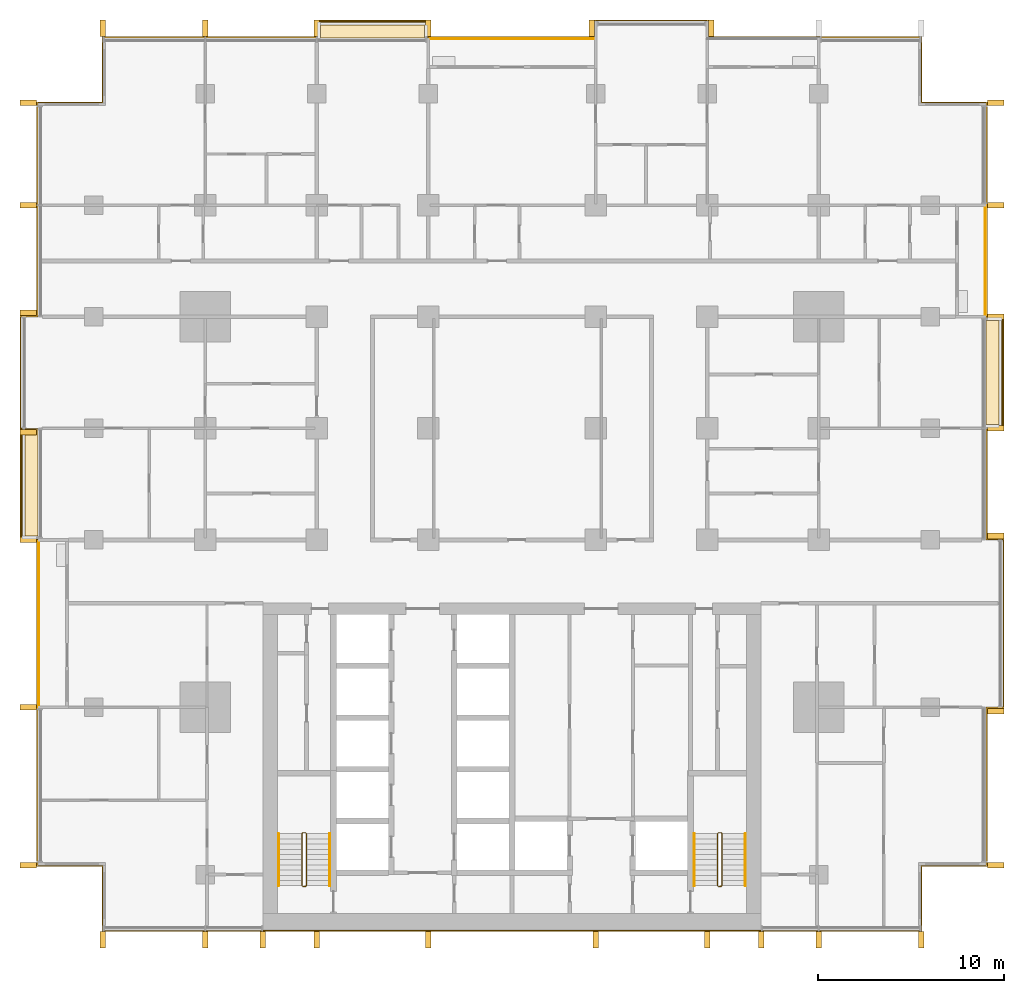
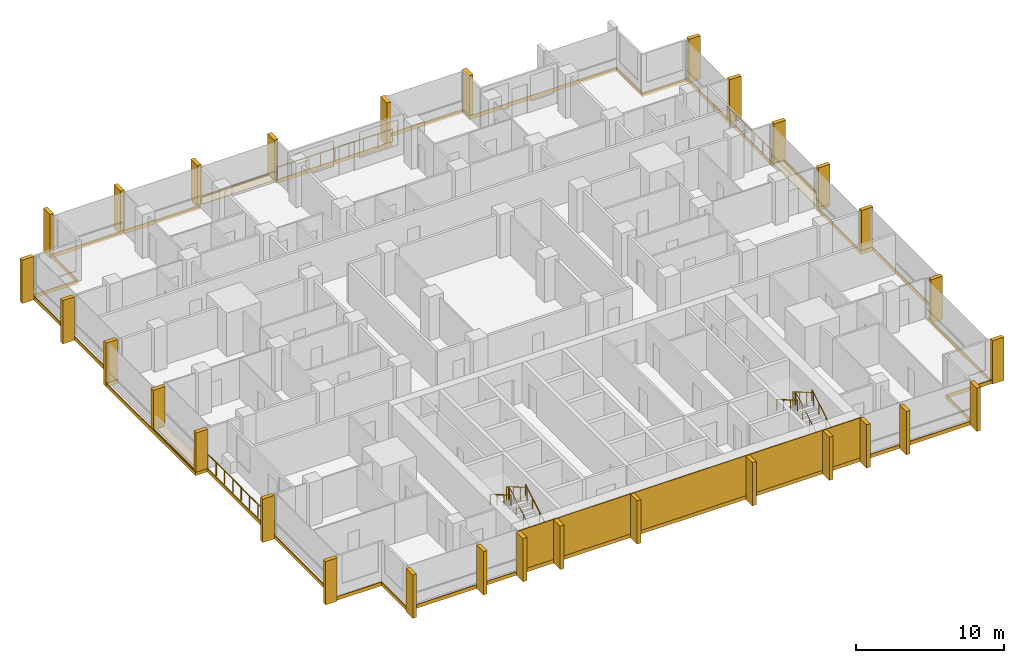
# One storey, part 18 of 19: 30 shading devices, 12 coverings, 9 railings.
"""IFC4 building model written with IfcOpenShell, lengths in metres."""

from ifc_helpers import new_model, si_unit, direction, frame, origin, origin_2d, place, context, subcontext, project, spatial, polyline, rectangle, circle, outline, extrude, material, layer, layer_set, type_object, element, save


model = new_model("IFC4")

# Units and contexts
model_context = context("Model", 3, precision=1e-05, world=origin(), true_north=direction((0.0, 1.0)))
body_context = subcontext(model_context, "Body", "Model", "MODEL_VIEW")
ifc_project = project(units=[si_unit("LENGTHUNIT", "METRE"), si_unit("AREAUNIT", "SQUARE_METRE"), si_unit("VOLUMEUNIT", "CUBIC_METRE"), si_unit("PLANEANGLEUNIT", "RADIAN"), si_unit("MASSUNIT", "GRAM", prefix="KILO")], contexts=[model_context])

# Site, building, storey
site_placement = place(None, origin())
site = spatial("IfcSite", under=ifc_project, at=site_placement, CompositionType="ELEMENT")
building_placement = place(site_placement, origin())
building = spatial("IfcBuilding", under=site, at=building_placement, Name="Finial Court Residences", CompositionType="ELEMENT")
storey_placement = place(building_placement, frame((0.0, 0.0, 88.300048828125)))
storey = spatial("IfcBuildingStorey", under=building, at=storey_placement, Name="L21", CompositionType="ELEMENT", Elevation=88.300048828125)

# Railings
ifc_material_1 = material(Name="Bronze anodised aluminium", Category="aluminium")
railing_type_1 = type_object("IfcRailingType", Name="Balcony guard 1100", PredefinedType="GUARDRAIL", material=ifc_material_1)
railing_1_placement = place(storey_placement, frame((-4.5, 22.449951171875, 0.0)))
element("IfcRailing", 1, at=railing_1_placement, inside=storey, type_object=railing_type_1, Name="E-L21-BALN4-R", PredefinedType="GUARDRAIL", context=body_context, shape_type="SweptSolid", body=[
    extrude(circle(Radius=0.02392578125, at=origin_2d()), frame((0.0, 0.0, 1.076171875), z_axis=(1.0, 0.0, 0.0), x_axis=(0.0, 1.0, 0.0)), (0.0, 0.0, 1.0), 9.0),
    extrude(circle(Radius=0.02099609375, at=origin_2d()), origin(), (0.0, 0.0, 1.0), 1.052001953125),
    extrude(circle(Radius=0.02099609375, at=origin_2d()), frame((1.125, 0.0, 0.0)), (0.0, 0.0, 1.0), 1.052001953125),
    extrude(circle(Radius=0.02099609375, at=origin_2d()), frame((2.25, 0.0, 0.0)), (0.0, 0.0, 1.0), 1.052001953125),
    extrude(circle(Radius=0.02099609375, at=origin_2d()), frame((3.375, 0.0, 0.0)), (0.0, 0.0, 1.0), 1.052001953125),
    extrude(circle(Radius=0.02099609375, at=origin_2d()), frame((4.5, 0.0, 0.0)), (0.0, 0.0, 1.0), 1.052001953125),
    extrude(circle(Radius=0.02099609375, at=origin_2d()), frame((5.625, 0.0, 0.0)), (0.0, 0.0, 1.0), 1.052001953125),
    extrude(circle(Radius=0.02099609375, at=origin_2d()), frame((6.75, 0.0, 0.0)), (0.0, 0.0, 1.0), 1.052001953125),
    extrude(circle(Radius=0.02099609375, at=origin_2d()), frame((7.875, 0.0, 0.0)), (0.0, 0.0, 1.0), 1.052001953125),
    extrude(circle(Radius=0.02099609375, at=origin_2d()), frame((9.0, 0.0, 0.0)), (0.0, 0.0, 1.0), 1.052001953125),
])
railing_2_placement = place(storey_placement, frame((25.449951171875, 7.5, 0.0)))
element("IfcRailing", 2, at=railing_2_placement, inside=storey, type_object=railing_type_1, Name="E-L21-BALE5-R", PredefinedType="GUARDRAIL", context=body_context, shape_type="SweptSolid", body=[
    extrude(circle(Radius=0.02392578125, at=origin_2d()), frame((0.0, 0.0, 1.076171875), z_axis=(0.0, 1.0, 0.0), x_axis=(-1.0, 0.0, 0.0)), (0.0, 0.0, 1.0), 6.0),
    extrude(circle(Radius=0.02099609375, at=origin_2d()), origin(), (0.0, 0.0, 1.0), 1.052001953125),
    extrude(circle(Radius=0.02099609375, at=origin_2d()), frame((0.0, 1.199951171875, 0.0)), (0.0, 0.0, 1.0), 1.052001953125),
    extrude(circle(Radius=0.02099609375, at=origin_2d()), frame((0.0, 2.39990234375, 0.0)), (0.0, 0.0, 1.0), 1.052001953125),
    extrude(circle(Radius=0.02099609375, at=origin_2d()), frame((0.0, 3.60009765625, 0.0)), (0.0, 0.0, 1.0), 1.052001953125),
    extrude(circle(Radius=0.02099609375, at=origin_2d()), frame((0.0, 4.800048828125, 0.0)), (0.0, 0.0, 1.0), 1.052001953125),
    extrude(circle(Radius=0.02099609375, at=origin_2d()), frame((0.0, 6.0, 0.0)), (0.0, 0.0, 1.0), 1.052001953125),
])
railing_3_placement = place(storey_placement, frame((-25.449951171875, -13.5, 0.0)))
element("IfcRailing", 3, at=railing_3_placement, inside=storey, type_object=railing_type_1, Name="E-L21-BALW2-R", PredefinedType="GUARDRAIL", context=body_context, shape_type="SweptSolid", body=[
    extrude(circle(Radius=0.02392578125, at=origin_2d()), frame((0.0, 0.0, 1.076171875), z_axis=(0.0, 1.0, 0.0), x_axis=(-1.0, 0.0, 0.0)), (0.0, 0.0, 1.0), 9.0),
    extrude(circle(Radius=0.02099609375, at=origin_2d()), origin(), (0.0, 0.0, 1.0), 1.052001953125),
    extrude(circle(Radius=0.02099609375, at=origin_2d()), frame((0.0, 1.125, 0.0)), (0.0, 0.0, 1.0), 1.052001953125),
    extrude(circle(Radius=0.02099609375, at=origin_2d()), frame((0.0, 2.25, 0.0)), (0.0, 0.0, 1.0), 1.052001953125),
    extrude(circle(Radius=0.02099609375, at=origin_2d()), frame((0.0, 3.375, 0.0)), (0.0, 0.0, 1.0), 1.052001953125),
    extrude(circle(Radius=0.02099609375, at=origin_2d()), frame((0.0, 4.5, 0.0)), (0.0, 0.0, 1.0), 1.052001953125),
    extrude(circle(Radius=0.02099609375, at=origin_2d()), frame((0.0, 5.625, 0.0)), (0.0, 0.0, 1.0), 1.052001953125),
    extrude(circle(Radius=0.02099609375, at=origin_2d()), frame((0.0, 6.75, 0.0)), (0.0, 0.0, 1.0), 1.052001953125),
    extrude(circle(Radius=0.02099609375, at=origin_2d()), frame((0.0, 7.875, 0.0)), (0.0, 0.0, 1.0), 1.052001953125),
    extrude(circle(Radius=0.02099609375, at=origin_2d()), frame((0.0, 9.0, 0.0)), (0.0, 0.0, 1.0), 1.052001953125),
])

# Coverings
ifc_material_2 = material(Name="Natural limestone", Category="masonry")
ifc_layer_1 = layer(ifc_material_2, 0.06005859375)
ifc_layer_set_1 = layer_set([ifc_layer_1], Name="Limestone cladding to the blind core face 60")
covering_type_1 = type_object("IfcCoveringType", Name="Limestone cladding to the blind core face 60", PredefinedType="CLADDING", material=ifc_layer_set_1)
covering_1_placement = place(storey_placement, origin())
element("IfcCovering", 4, at=covering_1_placement, inside=storey, type_object=covering_type_1, Name="E-L21-CLAD1", PredefinedType="CLADDING", context=body_context, shape_type="SweptSolid", body=[
    extrude(outline(polyline([(-10.5, -25.56005859375), (-10.5, -25.5), (-13.39990234375, -25.5), (-13.39990234375, -25.56005859375), (-10.5, -25.56005859375)])), origin(), (0.0, 0.0, 1.0), 3.300048828125),
])
covering_2_placement = place(storey_placement, origin())
element("IfcCovering", 5, at=covering_2_placement, inside=storey, type_object=covering_type_1, Name="E-L21-CLAD2", PredefinedType="CLADDING", context=body_context, shape_type="SweptSolid", body=[
    extrude(outline(polyline([(-4.5, -25.56005859375), (-4.5, -25.5), (-10.5, -25.5), (-10.5, -25.56005859375), (-4.5, -25.56005859375)])), origin(), (0.0, 0.0, 1.0), 3.300048828125),
])
covering_3_placement = place(storey_placement, origin())
element("IfcCovering", 6, at=covering_3_placement, inside=storey, type_object=covering_type_1, Name="E-L21-CLAD3", PredefinedType="CLADDING", context=body_context, shape_type="SweptSolid", body=[
    extrude(outline(polyline([(4.5, -25.56005859375), (4.5, -25.5), (-4.5, -25.5), (-4.5, -25.56005859375), (4.5, -25.56005859375)])), origin(), (0.0, 0.0, 1.0), 3.300048828125),
])
covering_4_placement = place(storey_placement, origin())
element("IfcCovering", 7, at=covering_4_placement, inside=storey, type_object=covering_type_1, Name="E-L21-CLAD4", PredefinedType="CLADDING", context=body_context, shape_type="SweptSolid", body=[
    extrude(outline(polyline([(10.5, -25.56005859375), (10.5, -25.5), (4.5, -25.5), (4.5, -25.56005859375), (10.5, -25.56005859375)])), origin(), (0.0, 0.0, 1.0), 3.300048828125),
])
covering_5_placement = place(storey_placement, origin())
element("IfcCovering", 8, at=covering_5_placement, inside=storey, type_object=covering_type_1, Name="E-L21-CLAD5", PredefinedType="CLADDING", context=body_context, shape_type="SweptSolid", body=[
    extrude(outline(polyline([(13.39990234375, -25.56005859375), (13.39990234375, -25.5), (10.5, -25.5), (10.5, -25.56005859375), (13.39990234375, -25.56005859375)])), origin(), (0.0, 0.0, 1.0), 3.300048828125),
])

# Shading devices
shading_device_type = type_object("IfcShadingDeviceType", Name="Limestone fin 300 x 900", PredefinedType="USERDEFINED", material=ifc_material_2)
for number, where, z_axis, x_axis, name in (
    (9, (-22.0, 23.010009765625, -0.300048828125), (0.0, 0.0, 1.0), (1.0, 0.0, 0.0), "E-L21-FIN-N1"),
    (10, (-16.5, 23.010009765625, -0.300048828125), (0.0, 0.0, 1.0), (1.0, 0.0, 0.0), "E-L21-FIN-N2"),
):
    element("IfcShadingDevice", number, at=place(storey_placement, frame(where, z_axis=z_axis, x_axis=x_axis)), inside=storey, type_object=shading_device_type, Name=name, ObjectType="FIN", PredefinedType="USERDEFINED", context=body_context, shape_type="SweptSolid", body=[
        extrude(rectangle(XDim=0.300048828125, YDim=0.89990234375, at=origin_2d()), origin(), (0.0, 0.0, 1.0), 3.580078125),
    ])
for number, where, z_axis, x_axis, name in (
    (11, (-10.5, 23.010009765625, 0.0400390625), (0.0, 0.0, 1.0), (1.0, 0.0, 0.0), "E-L21-FIN-N3"),
    (12, (-4.5, 23.010009765625, 0.0400390625), (0.0, 0.0, 1.0), (1.0, 0.0, 0.0), "E-L21-FIN-N4"),
):
    element("IfcShadingDevice", number, at=place(storey_placement, frame(where, z_axis=z_axis, x_axis=x_axis)), inside=storey, type_object=shading_device_type, Name=name, ObjectType="FIN", PredefinedType="USERDEFINED", context=body_context, shape_type="SweptSolid", body=[
        extrude(rectangle(XDim=0.300048828125, YDim=0.89990234375, at=origin_2d()), origin(), (0.0, 0.0, 1.0), 3.239990234375),
    ])
for number, where, z_axis, x_axis, name in (
    (13, (4.2900390625, 23.010009765625, -0.300048828125), (0.0, 0.0, 1.0), (1.0, 0.0, 0.0), "E-L21-FIN-N5"),
    (14, (10.7099609375, 23.010009765625, -0.300048828125), (0.0, 0.0, 1.0), (1.0, 0.0, 0.0), "E-L21-FIN-N6"),
):
    element("IfcShadingDevice", number, at=place(storey_placement, frame(where, z_axis=z_axis, x_axis=x_axis)), inside=storey, type_object=shading_device_type, Name=name, ObjectType="FIN", PredefinedType="USERDEFINED", context=body_context, shape_type="SweptSolid", body=[
        extrude(rectangle(XDim=0.300048828125, YDim=0.89990234375, at=origin_2d()), origin(), (0.0, 0.0, 1.0), 3.580078125),
    ])
for number, where, z_axis, x_axis, name in (
    (15, (26.010009765625, -22.0, -0.300048828125), (0.0, 0.0, 1.0), (1.0, 0.0, 0.0), "E-L21-FIN-E9"),
    (16, (26.010009765625, -13.7099609375, -0.300048828125), (0.0, 0.0, 1.0), (1.0, 0.0, 0.0), "E-L21-FIN-E10"),
    (17, (26.010009765625, -4.2900390625, -0.300048828125), (0.0, 0.0, 1.0), (1.0, 0.0, 0.0), "E-L21-FIN-E11"),
):
    element("IfcShadingDevice", number, at=place(storey_placement, frame(where, z_axis=z_axis, x_axis=x_axis)), inside=storey, type_object=shading_device_type, Name=name, ObjectType="FIN", PredefinedType="USERDEFINED", context=body_context, shape_type="SweptSolid", body=[
        extrude(rectangle(XDim=0.89990234375, YDim=0.300048828125, at=origin_2d()), origin(), (0.0, 0.0, 1.0), 3.580078125),
    ])
for number, where, z_axis, x_axis, name in (
    (18, (26.010009765625, 1.5, 0.0400390625), (0.0, 0.0, 1.0), (1.0, 0.0, 0.0), "E-L21-FIN-E12"),
    (19, (26.010009765625, 7.5, 0.0400390625), (0.0, 0.0, 1.0), (1.0, 0.0, 0.0), "E-L21-FIN-E13"),
):
    element("IfcShadingDevice", number, at=place(storey_placement, frame(where, z_axis=z_axis, x_axis=x_axis)), inside=storey, type_object=shading_device_type, Name=name, ObjectType="FIN", PredefinedType="USERDEFINED", context=body_context, shape_type="SweptSolid", body=[
        extrude(rectangle(XDim=0.89990234375, YDim=0.300048828125, at=origin_2d()), origin(), (0.0, 0.0, 1.0), 3.239990234375),
    ])
for number, where, z_axis, x_axis, name in (
    (20, (26.010009765625, 13.5, -0.300048828125), (0.0, 0.0, 1.0), (1.0, 0.0, 0.0), "E-L21-FIN-E14"),
    (21, (26.010009765625, 19.0, -0.300048828125), (0.0, 0.0, 1.0), (1.0, 0.0, 0.0), "E-L21-FIN-E15"),
):
    element("IfcShadingDevice", number, at=place(storey_placement, frame(where, z_axis=z_axis, x_axis=x_axis)), inside=storey, type_object=shading_device_type, Name=name, ObjectType="FIN", PredefinedType="USERDEFINED", context=body_context, shape_type="SweptSolid", body=[
        extrude(rectangle(XDim=0.89990234375, YDim=0.300048828125, at=origin_2d()), origin(), (0.0, 0.0, 1.0), 3.580078125),
    ])
for number, where, z_axis, x_axis, name in (
    (22, (-22.0, -26.010009765625, -0.300048828125), (0.0, 0.0, 1.0), (1.0, 0.0, 0.0), "E-L21-FIN-S16"),
    (23, (-16.5, -26.010009765625, -0.300048828125), (0.0, 0.0, 1.0), (1.0, 0.0, 0.0), "E-L21-FIN-S17"),
    (24, (-13.39990234375, -26.010009765625, -0.300048828125), (0.0, 0.0, 1.0), (1.0, 0.0, 0.0), "E-L21-FIN-S18"),
    (25, (-10.5, -26.010009765625, -0.300048828125), (0.0, 0.0, 1.0), (1.0, 0.0, 0.0), "E-L21-FIN-S19"),
    (26, (-4.5, -26.010009765625, -0.300048828125), (0.0, 0.0, 1.0), (1.0, 0.0, 0.0), "E-L21-FIN-S20"),
    (27, (4.5, -26.010009765625, -0.300048828125), (0.0, 0.0, 1.0), (1.0, 0.0, 0.0), "E-L21-FIN-S21"),
    (28, (10.5, -26.010009765625, -0.300048828125), (0.0, 0.0, 1.0), (1.0, 0.0, 0.0), "E-L21-FIN-S22"),
    (29, (13.39990234375, -26.010009765625, -0.300048828125), (0.0, 0.0, 1.0), (1.0, 0.0, 0.0), "E-L21-FIN-S23"),
    (30, (16.5, -26.010009765625, -0.300048828125), (0.0, 0.0, 1.0), (1.0, 0.0, 0.0), "E-L21-FIN-S24"),
    (31, (22.0, -26.010009765625, -0.300048828125), (0.0, 0.0, 1.0), (1.0, 0.0, 0.0), "E-L21-FIN-S25"),
):
    element("IfcShadingDevice", number, at=place(storey_placement, frame(where, z_axis=z_axis, x_axis=x_axis)), inside=storey, type_object=shading_device_type, Name=name, ObjectType="FIN", PredefinedType="USERDEFINED", context=body_context, shape_type="SweptSolid", body=[
        extrude(rectangle(XDim=0.300048828125, YDim=0.89990234375, at=origin_2d()), origin(), (0.0, 0.0, 1.0), 3.580078125),
    ])
for number, where, z_axis, x_axis, name in (
    (32, (-26.010009765625, -22.0, -0.300048828125), (0.0, 0.0, 1.0), (1.0, 0.0, 0.0), "E-L21-FIN-W26"),
    (33, (-26.010009765625, -13.5, -0.300048828125), (0.0, 0.0, 1.0), (1.0, 0.0, 0.0), "E-L21-FIN-W27"),
):
    element("IfcShadingDevice", number, at=place(storey_placement, frame(where, z_axis=z_axis, x_axis=x_axis)), inside=storey, type_object=shading_device_type, Name=name, ObjectType="FIN", PredefinedType="USERDEFINED", context=body_context, shape_type="SweptSolid", body=[
        extrude(rectangle(XDim=0.89990234375, YDim=0.300048828125, at=origin_2d()), origin(), (0.0, 0.0, 1.0), 3.580078125),
    ])
for number, where, z_axis, x_axis, name in (
    (34, (-26.010009765625, -4.5, 0.0400390625), (0.0, 0.0, 1.0), (1.0, 0.0, 0.0), "E-L21-FIN-W28"),
    (35, (-26.010009765625, 1.2900390625, 0.0400390625), (0.0, 0.0, 1.0), (1.0, 0.0, 0.0), "E-L21-FIN-W29"),
):
    element("IfcShadingDevice", number, at=place(storey_placement, frame(where, z_axis=z_axis, x_axis=x_axis)), inside=storey, type_object=shading_device_type, Name=name, ObjectType="FIN", PredefinedType="USERDEFINED", context=body_context, shape_type="SweptSolid", body=[
        extrude(rectangle(XDim=0.89990234375, YDim=0.300048828125, at=origin_2d()), origin(), (0.0, 0.0, 1.0), 3.239990234375),
    ])
for number, where, z_axis, x_axis, name in (
    (36, (-26.010009765625, 7.7099609375, -0.300048828125), (0.0, 0.0, 1.0), (1.0, 0.0, 0.0), "E-L21-FIN-W30"),
    (37, (-26.010009765625, 13.5, -0.300048828125), (0.0, 0.0, 1.0), (1.0, 0.0, 0.0), "E-L21-FIN-W31"),
    (38, (-26.010009765625, 19.0, -0.300048828125), (0.0, 0.0, 1.0), (1.0, 0.0, 0.0), "E-L21-FIN-W32"),
):
    element("IfcShadingDevice", number, at=place(storey_placement, frame(where, z_axis=z_axis, x_axis=x_axis)), inside=storey, type_object=shading_device_type, Name=name, ObjectType="FIN", PredefinedType="USERDEFINED", context=body_context, shape_type="SweptSolid", body=[
        extrude(rectangle(XDim=0.89990234375, YDim=0.300048828125, at=origin_2d()), origin(), (0.0, 0.0, 1.0), 3.580078125),
    ])

# Coverings
ifc_material_3 = material(Name="Pale limestone", Category="masonry")
ifc_layer_2 = layer(ifc_material_3, 0.06005859375)
ifc_layer_set_2 = layer_set([ifc_layer_2], Name="Pale limestone slab-edge band 60")
covering_type_2 = type_object("IfcCoveringType", Name="Pale limestone slab-edge band 60", PredefinedType="CLADDING", material=ifc_layer_set_2)
covering_6_placement = place(storey_placement, frame((0.0, 0.0, -0.300048828125)))
element("IfcCovering", 39, at=covering_6_placement, inside=storey, type_object=covering_type_2, Name="E-L21-BAND1", PredefinedType="CLADDING", context=body_context, shape_type="SweptSolid", body=[
    extrude(outline(polyline([(-26.4599609375, 7.56005859375), (-25.56005859375, 7.56005859375), (-25.56005859375, 19.06005859375), (-22.06005859375, 19.06005859375), (-22.06005859375, 22.56005859375), (-10.56005859375, 22.56005859375), (-10.56005859375, 23.4599609375), (-4.43994140625, 23.4599609375), (-4.43994140625, 22.56005859375), (4.43994140625, 22.56005859375), (4.43994140625, 23.4599609375), (10.56005859375, 23.4599609375), (10.56005859375, 22.56005859375), (22.06005859375, 22.56005859375), (22.06005859375, 19.06005859375), (25.56005859375, 19.06005859375), (25.56005859375, 7.56005859375), (26.4599609375, 7.56005859375), (26.4599609375, 1.43994140625), (25.56005859375, 1.43994140625), (25.56005859375, -4.43994140625), (26.4599609375, -4.43994140625), (26.4599609375, -13.56005859375), (25.56005859375, -13.56005859375), (25.56005859375, -22.06005859375), (22.06005859375, -22.06005859375), (22.06005859375, -25.56005859375), (-22.06005859375, -25.56005859375), (-22.06005859375, -22.06005859375), (-25.56005859375, -22.06005859375), (-25.56005859375, -4.56005859375), (-26.4599609375, -4.56005859375), (-26.4599609375, 7.56005859375)]), holes=[polyline([(-25.5, -4.5), (-25.5, -13.5), (-25.5, -22.0), (-22.0, -22.0), (-22.0, -25.5), (22.0, -25.5), (22.0, -22.0), (25.5, -22.0), (25.5, -13.5), (26.39990234375, -13.5), (26.39990234375, -4.5), (25.5, -4.5), (25.5, 1.5), (26.39990234375, 1.5), (26.39990234375, 7.5), (25.5, 7.5), (25.5, 13.5), (25.5, 19.0), (22.0, 19.0), (22.0, 22.5), (16.5, 22.5), (10.5, 22.5), (10.5, 23.39990234375), (4.5, 23.39990234375), (4.5, 22.5), (-4.5, 22.5), (-4.5, 23.39990234375), (-10.5, 23.39990234375), (-10.5, 22.5), (-22.0, 22.5), (-22.0, 19.0), (-25.5, 19.0), (-25.5, 7.5), (-26.39990234375, 7.5), (-26.39990234375, 1.5), (-26.39990234375, -4.5), (-25.5, -4.5)])]), origin(), (0.0, 0.0, 1.0), 0.300048828125),
])
ifc_material_4 = material(Name="Bitumen membrane")
ifc_layer_3 = layer(ifc_material_4, 0.0400390625)
ifc_layer_set_3 = layer_set([ifc_layer_3], Name="Push box roofing, bitumen membrane 40")
covering_type_3 = type_object("IfcCoveringType", Name="Push box roofing, bitumen membrane 40", PredefinedType="ROOFING", material=ifc_layer_set_3)
covering_7_placement = place(storey_placement, origin())
element("IfcCovering", 40, at=covering_7_placement, inside=storey, type_object=covering_type_3, Name="E-L21-LED1", PredefinedType="ROOFING", context=body_context, shape_type="SweptSolid", body=[
    extrude(outline(polyline([(-4.550048828125, 22.5), (-4.550048828125, 23.199951171875), (-4.550048828125, 23.35009765625), (-10.300048828125, 23.35009765625), (-10.300048828125, 23.35009765625), (-10.449951171875, 23.35009765625), (-10.449951171875, 22.5), (-10.5, 22.5), (-10.5, 23.39990234375), (-4.5, 23.39990234375), (-4.5, 22.5), (-4.550048828125, 22.5)])), origin(), (0.0, 0.0, 1.0), 0.0400390625),
])
covering_8_placement = place(storey_placement, origin())
element("IfcCovering", 41, at=covering_8_placement, inside=storey, type_object=covering_type_3, Name="E-L21-LED1b", PredefinedType="ROOFING", context=body_context, shape_type="SweptSolid", body=[
    extrude(outline(polyline([(-10.300048828125, 22.5), (-10.300048828125, 23.199951171875), (-4.699951171875, 23.199951171875), (-4.699951171875, 22.5), (-10.300048828125, 22.5)])), origin(), (0.0, 0.0, 1.0), 0.0400390625),
])
covering_9_placement = place(storey_placement, origin())
element("IfcCovering", 42, at=covering_9_placement, inside=storey, type_object=covering_type_3, Name="E-L21-LED2", PredefinedType="ROOFING", context=body_context, shape_type="SweptSolid", body=[
    extrude(outline(polyline([(25.5, 1.550048828125), (26.199951171875, 1.550048828125), (26.35009765625, 1.550048828125), (26.35009765625, 7.300048828125), (26.35009765625, 7.300048828125), (26.35009765625, 7.449951171875), (25.5, 7.449951171875), (25.5, 7.5), (26.39990234375, 7.5), (26.39990234375, 1.5), (25.5, 1.5), (25.5, 1.550048828125)])), origin(), (0.0, 0.0, 1.0), 0.0400390625),
])
covering_10_placement = place(storey_placement, origin())
element("IfcCovering", 43, at=covering_10_placement, inside=storey, type_object=covering_type_3, Name="E-L21-LED2b", PredefinedType="ROOFING", context=body_context, shape_type="SweptSolid", body=[
    extrude(outline(polyline([(25.5, 7.300048828125), (26.199951171875, 7.300048828125), (26.199951171875, 1.699951171875), (25.5, 1.699951171875), (25.5, 7.300048828125)])), origin(), (0.0, 0.0, 1.0), 0.0400390625),
])
covering_11_placement = place(storey_placement, origin())
element("IfcCovering", 44, at=covering_11_placement, inside=storey, type_object=covering_type_3, Name="E-L21-LED3", PredefinedType="ROOFING", context=body_context, shape_type="SweptSolid", body=[
    extrude(outline(polyline([(-25.5, -4.300048828125), (-26.199951171875, -4.300048828125), (-26.199951171875, 1.5), (-25.5, 1.5), (-25.5, -4.300048828125)])), origin(), (0.0, 0.0, 1.0), 0.0400390625),
])
covering_12_placement = place(storey_placement, origin())
element("IfcCovering", 45, at=covering_12_placement, inside=storey, type_object=covering_type_3, Name="E-L21-LED3b", PredefinedType="ROOFING", context=body_context, shape_type="SweptSolid", body=[
    extrude(outline(polyline([(-25.5, -4.5), (-26.39990234375, -4.5), (-26.39990234375, 1.5), (-26.35009765625, 1.5), (-26.35009765625, -4.300048828125), (-26.35009765625, -4.300048828125), (-26.35009765625, -4.449951171875), (-25.5, -4.449951171875), (-25.5, -4.5)])), origin(), (0.0, 0.0, 1.0), 0.0400390625),
])

# Railings
ifc_material_5 = material(Name="Stainless steel railing", Category="steel")
railing_type_2 = type_object("IfcRailingType", Name="Stair guard 1100", PredefinedType="GUARDRAIL", material=ifc_material_5)
railing_4_placement = place(storey_placement, frame((-11.10009765625, -23.14990234375, 0.0)))
element("IfcRailing", 46, at=railing_4_placement, inside=storey, type_object=railing_type_2, Name="L21 ST-1 stair guard 1", PredefinedType="GUARDRAIL", context=body_context, shape_type="SweptSolid", body=[
    extrude(circle(Radius=0.02392578125, at=origin_2d()), frame((0.0, 0.0, 1.076171875), z_axis=(-1.0, 0.0, 0.0), x_axis=(0.0, -1.0, 0.0)), (0.0, 0.0, 1.0), 0.14990234375),
    extrude(circle(Radius=0.02392578125, at=origin_2d()), frame((-0.14990234375, 0.0, 1.076171875), z_axis=(0.760004195007, 0.189305074214, 0.621737253547), x_axis=(-0.241699205484, 0.970351222016, 0.0)), (0.0, 0.0, 1.0), 0.26318359375),
    extrude(circle(Radius=0.02392578125, at=origin_2d()), frame((0.050048828125, 0.0498046875, 1.23974609375), z_axis=(0.0, 0.863360870873, 0.504586966384), x_axis=(-1.0, 0.0, 0.0)), (0.0, 0.0, 1.0), 3.2431640625),
    extrude(circle(Radius=0.02392578125, at=origin_2d()), frame((0.050048828125, 2.849853515625, 2.8759765625), z_axis=(-0.707106781187, 0.707106781187, 0.0), x_axis=(-0.707106781187, -0.707106781187, 0.0)), (0.0, 0.0, 1.0), 0.07080078125),
    extrude(circle(Radius=0.02392578125, at=origin_2d()), frame((0.0, 2.89990234375, 2.8759765625), z_axis=(-1.0, 0.0, 0.0), x_axis=(0.0, -1.0, 0.0)), (0.0, 0.0, 1.0), 0.14990234375),
    extrude(circle(Radius=0.02392578125, at=origin_2d()), frame((-0.14990234375, 2.89990234375, 2.8759765625), z_axis=(-0.280808744504, -0.280808744504, 0.917765164963), x_axis=(0.707106781187, -0.707106781187, 0.0)), (0.0, 0.0, 1.0), 0.17822265625),
    extrude(circle(Radius=0.02392578125, at=origin_2d()), frame((-0.199951171875, 2.849853515625, 3.03955078125), z_axis=(0.0, -0.863393664356, 0.504530851732), x_axis=(1.0, 0.0, 0.0)), (0.0, 0.0, 1.0), 3.2431640625),
    extrude(circle(Radius=0.02099609375, at=origin_2d()), origin(), (0.0, 0.0, 1.0), 1.052001953125),
    extrude(circle(Radius=0.02099609375, at=origin_2d()), frame((-0.14990234375, 0.0, 0.0)), (0.0, 0.0, 1.0), 1.052001953125),
    extrude(circle(Radius=0.02099609375, at=origin_2d()), frame((0.050048828125, 0.0498046875, 0.16357421875)), (0.0, 0.0, 1.0), 1.052001953125),
    extrude(circle(Radius=0.02099609375, at=origin_2d()), frame((0.050048828125, 0.983154296875, 0.708984375)), (0.0, 0.0, 1.0), 1.052001953125),
    extrude(circle(Radius=0.02099609375, at=origin_2d()), frame((0.050048828125, 1.91650390625, 1.254638671875)), (0.0, 0.0, 1.0), 1.052001953125),
    extrude(circle(Radius=0.02099609375, at=origin_2d()), frame((0.050048828125, 2.849853515625, 1.800048828125)), (0.0, 0.0, 1.0), 1.052001953125),
    extrude(circle(Radius=0.02099609375, at=origin_2d()), frame((0.0, 2.89990234375, 1.800048828125)), (0.0, 0.0, 1.0), 1.052001953125),
    extrude(circle(Radius=0.02099609375, at=origin_2d()), frame((-0.14990234375, 2.89990234375, 1.800048828125)), (0.0, 0.0, 1.0), 1.052001953125),
    extrude(circle(Radius=0.02099609375, at=origin_2d()), frame((-0.199951171875, 2.849853515625, 1.963623046875)), (0.0, 0.0, 1.0), 1.052001953125),
    extrude(circle(Radius=0.02099609375, at=origin_2d()), frame((-0.199951171875, 1.91650390625, 2.509033203125)), (0.0, 0.0, 1.0), 1.052001953125),
    extrude(circle(Radius=0.02099609375, at=origin_2d()), frame((-0.199951171875, 0.983154296875, 3.054443359375)), (0.0, 0.0, 1.0), 1.052001953125),
    extrude(circle(Radius=0.02099609375, at=origin_2d()), frame((-0.199951171875, 0.0498046875, 3.599853515625)), (0.0, 0.0, 1.0), 1.052001953125),
])
railing_5_placement = place(storey_placement, frame((11.25, -23.14990234375, 0.0)))
element("IfcRailing", 47, at=railing_5_placement, inside=storey, type_object=railing_type_2, Name="L21 ST-2 stair guard 1", PredefinedType="GUARDRAIL", context=body_context, shape_type="SweptSolid", body=[
    extrude(circle(Radius=0.02392578125, at=origin_2d()), frame((0.0, 0.0, 1.076171875), z_axis=(-1.0, 0.0, 0.0), x_axis=(0.0, -1.0, 0.0)), (0.0, 0.0, 1.0), 0.14990234375),
    extrude(circle(Radius=0.02392578125, at=origin_2d()), frame((-0.14990234375, 0.0, 1.076171875), z_axis=(0.760004195007, 0.189305074214, 0.621737253547), x_axis=(-0.241699205484, 0.970351222016, 0.0)), (0.0, 0.0, 1.0), 0.26318359375),
    extrude(circle(Radius=0.02392578125, at=origin_2d()), frame((0.050048828125, 0.0498046875, 1.23974609375), z_axis=(0.0, 0.863360870873, 0.504586966384), x_axis=(-1.0, 0.0, 0.0)), (0.0, 0.0, 1.0), 3.2431640625),
    extrude(circle(Radius=0.02392578125, at=origin_2d()), frame((0.050048828125, 2.849853515625, 2.8759765625), z_axis=(-0.707106781187, 0.707106781187, 0.0), x_axis=(-0.707106781187, -0.707106781187, 0.0)), (0.0, 0.0, 1.0), 0.07080078125),
    extrude(circle(Radius=0.02392578125, at=origin_2d()), frame((0.0, 2.89990234375, 2.8759765625), z_axis=(-1.0, 0.0, 0.0), x_axis=(0.0, -1.0, 0.0)), (0.0, 0.0, 1.0), 0.14990234375),
    extrude(circle(Radius=0.02392578125, at=origin_2d()), frame((-0.14990234375, 2.89990234375, 2.8759765625), z_axis=(-0.280808744504, -0.280808744504, 0.917765164963), x_axis=(0.707106781187, -0.707106781187, 0.0)), (0.0, 0.0, 1.0), 0.17822265625),
    extrude(circle(Radius=0.02392578125, at=origin_2d()), frame((-0.199951171875, 2.849853515625, 3.03955078125), z_axis=(0.0, -0.863393664356, 0.504530851732), x_axis=(1.0, 0.0, 0.0)), (0.0, 0.0, 1.0), 3.2431640625),
    extrude(circle(Radius=0.02099609375, at=origin_2d()), origin(), (0.0, 0.0, 1.0), 1.052001953125),
    extrude(circle(Radius=0.02099609375, at=origin_2d()), frame((-0.14990234375, 0.0, 0.0)), (0.0, 0.0, 1.0), 1.052001953125),
    extrude(circle(Radius=0.02099609375, at=origin_2d()), frame((0.050048828125, 0.0498046875, 0.16357421875)), (0.0, 0.0, 1.0), 1.052001953125),
    extrude(circle(Radius=0.02099609375, at=origin_2d()), frame((0.050048828125, 0.983154296875, 0.708984375)), (0.0, 0.0, 1.0), 1.052001953125),
    extrude(circle(Radius=0.02099609375, at=origin_2d()), frame((0.050048828125, 1.91650390625, 1.254638671875)), (0.0, 0.0, 1.0), 1.052001953125),
    extrude(circle(Radius=0.02099609375, at=origin_2d()), frame((0.050048828125, 2.849853515625, 1.800048828125)), (0.0, 0.0, 1.0), 1.052001953125),
    extrude(circle(Radius=0.02099609375, at=origin_2d()), frame((0.0, 2.89990234375, 1.800048828125)), (0.0, 0.0, 1.0), 1.052001953125),
    extrude(circle(Radius=0.02099609375, at=origin_2d()), frame((-0.14990234375, 2.89990234375, 1.800048828125)), (0.0, 0.0, 1.0), 1.052001953125),
    extrude(circle(Radius=0.02099609375, at=origin_2d()), frame((-0.199951171875, 2.849853515625, 1.963623046875)), (0.0, 0.0, 1.0), 1.052001953125),
    extrude(circle(Radius=0.02099609375, at=origin_2d()), frame((-0.199951171875, 1.91650390625, 2.509033203125)), (0.0, 0.0, 1.0), 1.052001953125),
    extrude(circle(Radius=0.02099609375, at=origin_2d()), frame((-0.199951171875, 0.983154296875, 3.054443359375)), (0.0, 0.0, 1.0), 1.052001953125),
    extrude(circle(Radius=0.02099609375, at=origin_2d()), frame((-0.199951171875, 0.0498046875, 3.599853515625)), (0.0, 0.0, 1.0), 1.052001953125),
])
railing_type_3 = type_object("IfcRailingType", Name="Stair handrail 900", PredefinedType="HANDRAIL", material=ifc_material_5)
railing_6_placement = place(storey_placement, frame((-9.800048828125, -23.10009765625, 0.16357421875)))
element("IfcRailing", 48, at=railing_6_placement, inside=storey, type_object=railing_type_3, Name="L21 ST-1 stair handrail 1", PredefinedType="HANDRAIL", context=body_context, shape_type="SweptSolid", body=[
    extrude(circle(Radius=0.02392578125, at=origin_2d()), frame((0.0, 0.0, 0.8759765625), z_axis=(0.0, 0.863360870873, 0.504586966384), x_axis=(-1.0, 0.0, 0.0)), (0.0, 0.0, 1.0), 3.2431640625),
    extrude(circle(Radius=0.02099609375, at=origin_2d()), origin(), (0.0, 0.0, 1.0), 0.851806640625),
    extrude(circle(Radius=0.02099609375, at=origin_2d()), frame((0.0, 0.933349609375, 0.54541015625)), (0.0, 0.0, 1.0), 0.851806640625),
    extrude(circle(Radius=0.02099609375, at=origin_2d()), frame((0.0, 1.86669921875, 1.091064453125)), (0.0, 0.0, 1.0), 0.851806640625),
    extrude(circle(Radius=0.02099609375, at=origin_2d()), frame((0.0, 2.800048828125, 1.636474609375)), (0.0, 0.0, 1.0), 0.851806640625),
])
railing_7_placement = place(storey_placement, frame((-12.550048828125, -20.300048828125, 1.963623046875)))
element("IfcRailing", 49, at=railing_7_placement, inside=storey, type_object=railing_type_3, Name="L21 ST-1 stair handrail 2", PredefinedType="HANDRAIL", context=body_context, shape_type="SweptSolid", body=[
    extrude(circle(Radius=0.02392578125, at=origin_2d()), frame((0.0, 0.0, 0.8759765625), z_axis=(0.0, -0.863393664356, 0.504530851732), x_axis=(1.0, 0.0, 0.0)), (0.0, 0.0, 1.0), 3.2431640625),
    extrude(circle(Radius=0.02099609375, at=origin_2d()), origin(), (0.0, 0.0, 1.0), 0.851806640625),
    extrude(circle(Radius=0.02099609375, at=origin_2d()), frame((0.0, -0.933349609375, 0.54541015625)), (0.0, 0.0, 1.0), 0.851806640625),
    extrude(circle(Radius=0.02099609375, at=origin_2d()), frame((0.0, -1.86669921875, 1.0908203125)), (0.0, 0.0, 1.0), 0.851806640625),
    extrude(circle(Radius=0.02099609375, at=origin_2d()), frame((0.0, -2.800048828125, 1.63623046875)), (0.0, 0.0, 1.0), 0.851806640625),
])
railing_8_placement = place(storey_placement, frame((12.550048828125, -23.10009765625, 0.16357421875)))
element("IfcRailing", 50, at=railing_8_placement, inside=storey, type_object=railing_type_3, Name="L21 ST-2 stair handrail 1", PredefinedType="HANDRAIL", context=body_context, shape_type="SweptSolid", body=[
    extrude(circle(Radius=0.02392578125, at=origin_2d()), frame((0.0, 0.0, 0.8759765625), z_axis=(0.0, 0.863360870873, 0.504586966384), x_axis=(-1.0, 0.0, 0.0)), (0.0, 0.0, 1.0), 3.2431640625),
    extrude(circle(Radius=0.02099609375, at=origin_2d()), origin(), (0.0, 0.0, 1.0), 0.851806640625),
    extrude(circle(Radius=0.02099609375, at=origin_2d()), frame((0.0, 0.933349609375, 0.54541015625)), (0.0, 0.0, 1.0), 0.851806640625),
    extrude(circle(Radius=0.02099609375, at=origin_2d()), frame((0.0, 1.86669921875, 1.091064453125)), (0.0, 0.0, 1.0), 0.851806640625),
    extrude(circle(Radius=0.02099609375, at=origin_2d()), frame((0.0, 2.800048828125, 1.636474609375)), (0.0, 0.0, 1.0), 0.851806640625),
])
railing_9_placement = place(storey_placement, frame((9.800048828125, -20.300048828125, 1.963623046875)))
element("IfcRailing", 51, at=railing_9_placement, inside=storey, type_object=railing_type_3, Name="L21 ST-2 stair handrail 2", PredefinedType="HANDRAIL", context=body_context, shape_type="SweptSolid", body=[
    extrude(circle(Radius=0.02392578125, at=origin_2d()), frame((0.0, 0.0, 0.8759765625), z_axis=(0.0, -0.863393664356, 0.504530851732), x_axis=(1.0, 0.0, 0.0)), (0.0, 0.0, 1.0), 3.2431640625),
    extrude(circle(Radius=0.02099609375, at=origin_2d()), origin(), (0.0, 0.0, 1.0), 0.851806640625),
    extrude(circle(Radius=0.02099609375, at=origin_2d()), frame((0.0, -0.933349609375, 0.54541015625)), (0.0, 0.0, 1.0), 0.851806640625),
    extrude(circle(Radius=0.02099609375, at=origin_2d()), frame((0.0, -1.86669921875, 1.0908203125)), (0.0, 0.0, 1.0), 0.851806640625),
    extrude(circle(Radius=0.02099609375, at=origin_2d()), frame((0.0, -2.800048828125, 1.63623046875)), (0.0, 0.0, 1.0), 0.851806640625),
])

save(model, "model.ifc")
